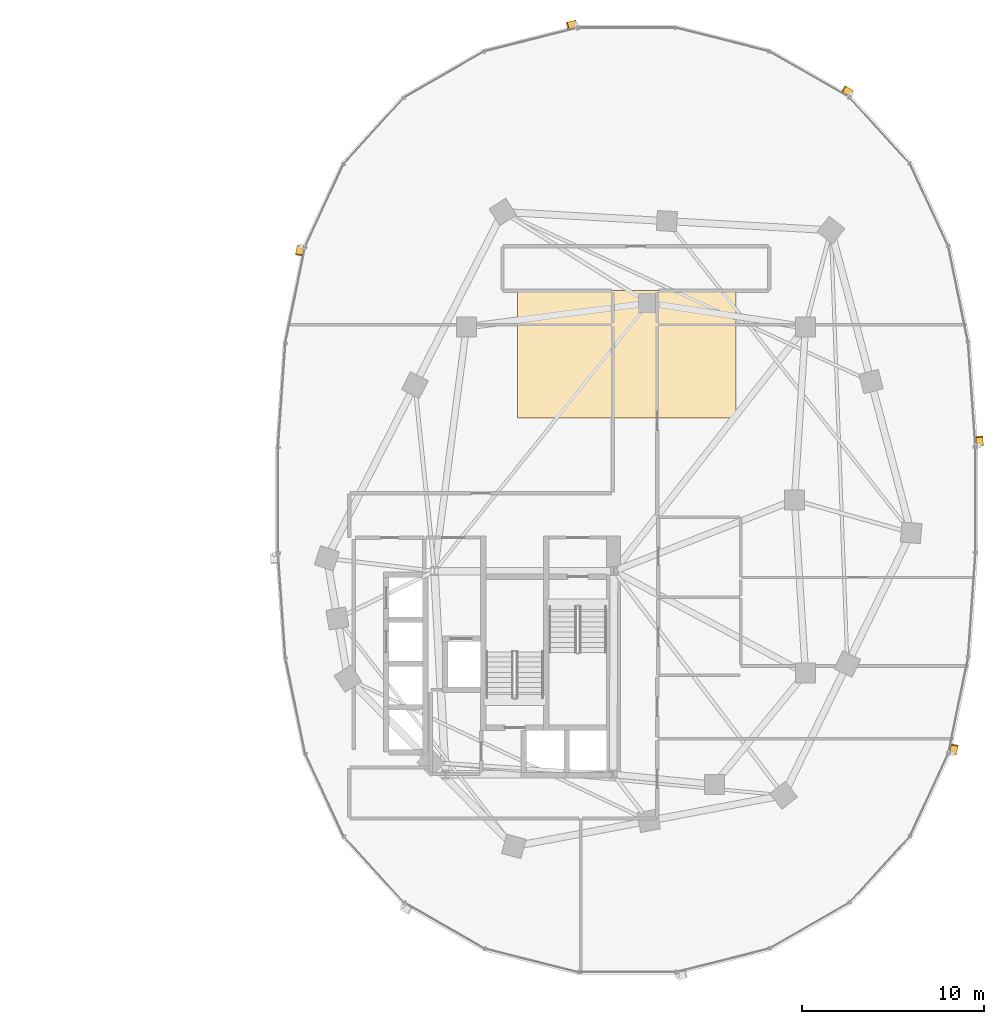
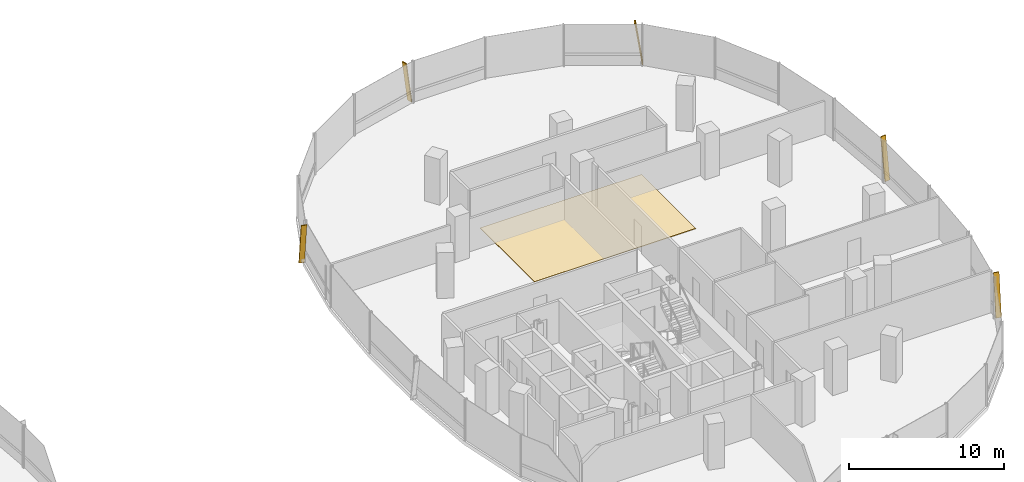
# One storey, part 21 of 21: 5 shading devices, 1 covering.
"""IFC4 building model written with IfcOpenShell, lengths in metres."""

from ifc_helpers import new_model, si_unit, direction, frame, origin, origin_2d, place, context, subcontext, project, spatial, polyline, rectangle, outline, extrude, material, layer, layer_set, material_profile, profile_set, type_object, element, save


model = new_model("IFC4")

# Units and contexts
model_context = context("Model", 3, precision=1e-05, world=origin(), true_north=direction((0.0, 1.0)))
body_context = subcontext(model_context, "Body", "Model", "MODEL_VIEW")
ifc_project = project(units=[si_unit("LENGTHUNIT", "METRE"), si_unit("AREAUNIT", "SQUARE_METRE"), si_unit("VOLUMEUNIT", "CUBIC_METRE"), si_unit("PLANEANGLEUNIT", "RADIAN"), si_unit("MASSUNIT", "GRAM", prefix="KILO"), si_unit("THERMODYNAMICTEMPERATUREUNIT", "KELVIN"), si_unit("POWERUNIT", "WATT")], contexts=[model_context])

# Site, building, storey
site_placement = place(None, origin())
site = spatial("IfcSite", under=ifc_project, at=site_placement, CompositionType="ELEMENT")
building_placement = place(site_placement, origin())
building = spatial("IfcBuilding", under=site, at=building_placement, Name="Cundina Bronze Exchange", CompositionType="ELEMENT")
storey_placement = place(building_placement, frame((0.0, 0.0, 92.60009765625)))
storey = spatial("IfcBuildingStorey", under=building, at=storey_placement, Name="L23", CompositionType="ELEMENT", Elevation=92.60009765625)

# Covering
ifc_material_1 = material(Name="Raised Access Steel-Cementitious Floor Panel 40mm", Category="steel")
ifc_layer = layer(ifc_material_1, 0.0400390625, Name="Raised Access Steel-Cementitious Floor Panel 40mm", Category="steel")
ifc_layer_set = layer_set([ifc_layer], Name="Raised Access Steel-Cementitious Floor Panel 40mm")
covering_type = type_object("IfcCoveringType", Name="COV-FLR-RAF40", PredefinedType="FLOORING", material=ifc_layer_set)
covering_placement = place(storey_placement, origin())
element("IfcCovering", 1, at=covering_placement, inside=storey, type_object=covering_type, Name="L23 E UFAD Raised Access Trading Floor", PredefinedType="FLOORING", context=body_context, shape_type="SweptSolid", body=[
    extrude(outline(polyline([(26.0, 4.5), (38.0, 4.5), (38.0, 11.5), (26.0, 11.5), (26.0, 4.5)])), origin(), (0.0, 0.0, 1.0), 0.039794921875),
])

# Shading devices
ifc_material_2 = material(Name="Anodised Bronze Aluminium 6063-T6", Category="aluminium")
ifc_material_profile = material_profile(ifc_material_2, rectangle(XDim=0.070068359375, YDim=0.3798828125, at=origin_2d()), Name="FIN70X380", Category="aluminium")
ifc_profile_set = profile_set([ifc_material_profile], Name="Anodised Bronze Aluminium 6063-T6")
shading_device_type = type_object("IfcShadingDeviceType", Name="SHD-FIN-BRZ380", PredefinedType="USERDEFINED", material=ifc_profile_set)
for number, where, z_axis, x_axis, name in (
    (2, (51.3740234375, 2.993896484375, 0.02001953125), (-0.01022529535, 0.145302928853, 0.989334373304), (0.069449940286, -0.986893716667, 0.145662273078), "L23 Diagonal Bronze Solar Fin 1"),
    (3, (44.314208984375, 22.314208984375, 0.02001953125), (-0.126333952546, 0.072540140494, 0.989331926328), (0.857956914638, -0.492633325179, 0.145678891912), "L23 Diagonal Bronze Solar Fin 5"),
    (4, (29.212646484375, 26.138427734375, 0.02001953125), (-0.141227399308, -0.035714379048, 0.989332757374), (0.959138992792, 0.242552463025, 0.145673248011), "L23 Diagonal Bronze Solar Fin 1"),
    (5, (14.10400390625, 13.911865234375, 0.02001953125), (-0.029416044726, -0.142708569627, 0.98932752942), (0.199727902789, 0.968957029654, 0.14570874899), "L23 Diagonal Bronze Solar Fin 5"),
    (6, (49.89599609375, -13.911865234375, 0.02001953125), (0.029416044726, 0.142708569627, 0.98932752942), (-0.199727902789, -0.968957029654, 0.14570874899), "L23 Diagonal Bronze Solar Fin 5"),
):
    element("IfcShadingDevice", number, at=place(storey_placement, frame(where, z_axis=z_axis, x_axis=x_axis)), inside=storey, type_object=shading_device_type, Name=name, ObjectType="FIN", PredefinedType="USERDEFINED", context=body_context, shape_type="SweptSolid", body=[
        extrude(rectangle(XDim=0.070068359375, YDim=0.3798828125, at=origin_2d()), origin(), (0.0, 0.0, 1.0), 3.294921875),
    ])

save(model, "model.ifc")
